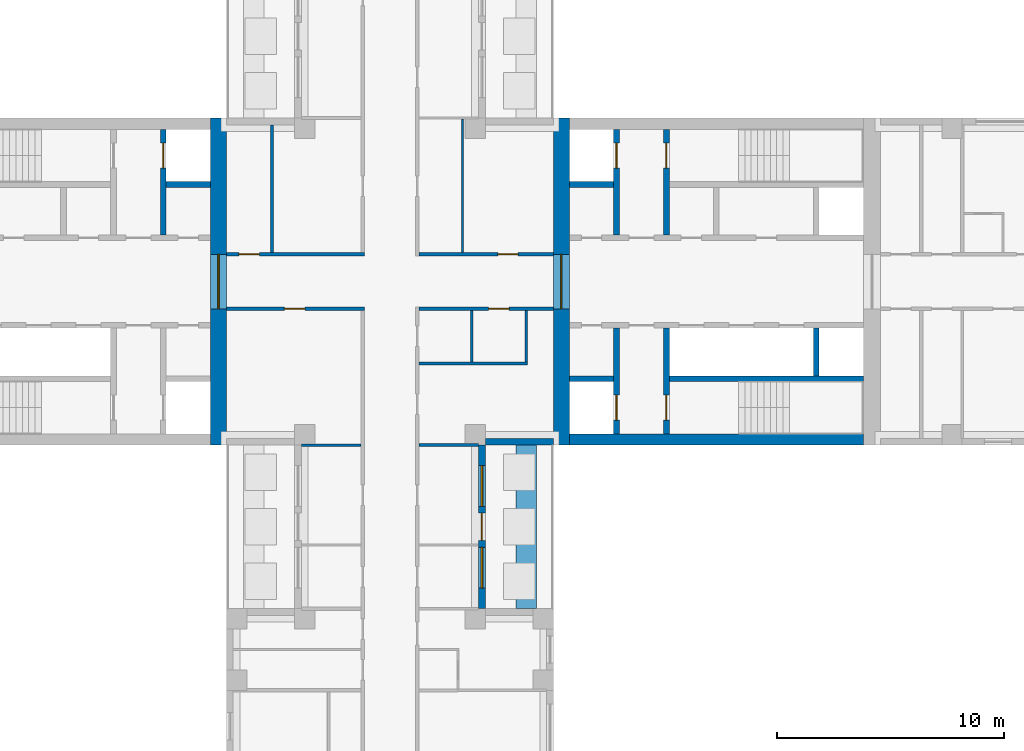
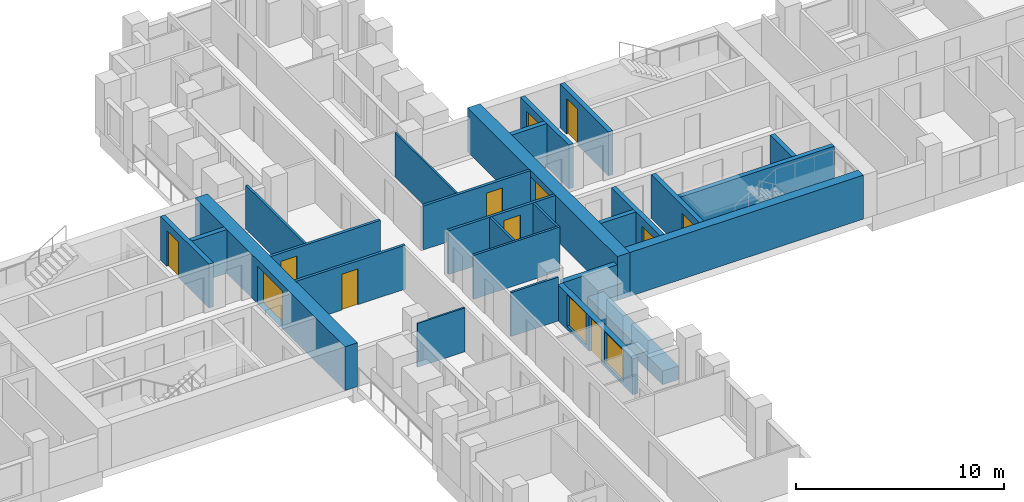
# One storey, part 7 of 13: 27 walls, 12 doors, 2 windows, 14 openings.
"""IFC4 building model written with IfcOpenShell, lengths in metres."""

import ifcopenshell
import ifcopenshell.guid

model = None  # the IFC model being written
_history = None  # IfcOwnerHistory: only IFC2X3 demands one
_inside = {}  # id of a spatial element -> (the spatial element, [elements in it])
_under = {}  # id of a project, library or spatial element -> (it, [spatial elements below it])
_declared = {}  # id of a project -> (the project, [libraries it declares])
_typed = {}  # id of a type object -> (the type object, [elements of that type])
_made_of = {}  # id of a material, layer set ... -> (it, [elements and type objects made of it])


def new_model(schema):
    """Start an empty IFC model of exactly this schema.

    Asked for "IFC4X3", IfcOpenShell would pick the latest addendum, in which some entities
    have other attributes; the version numbers below select the first issue.
    IFC2X3 requires an IfcOwnerHistory on every rooted entity: one is made here for all.
    """
    global model, _history
    if schema == "IFC4X3":
        model = ifcopenshell.file(schema_version=(4, 3, 0, 0))
    else:
        model = ifcopenshell.file(schema=schema)
    _inside.clear()
    _under.clear()
    _declared.clear()
    _typed.clear()
    _made_of.clear()
    _history = None
    if model.schema == "IFC2X3":
        org = make("IfcOrganization", Name="unknown")
        user = make(
            "IfcPersonAndOrganization",
            ThePerson=make("IfcPerson", FamilyName="unknown"),
            TheOrganization=org,
        )
        app = make(
            "IfcApplication",
            ApplicationDeveloper=org,
            Version="unknown",
            ApplicationFullName="unknown",
            ApplicationIdentifier="unknown",
        )
        _history = make(
            "IfcOwnerHistory",
            OwningUser=user,
            OwningApplication=app,
            ChangeAction="ADDED",
            CreationDate=0,
        )
    return model


def make(cls, **values):
    """One entity of the class cls with the attributes given. An attribute that is None is left unset."""
    return model.create_entity(
        cls, **{name: value for name, value in values.items() if value is not None}
    )


def rooted(cls, **values):
    """An entity with a GlobalId (a new one), such as an element, a storey or a relation."""
    return make(cls, GlobalId=ifcopenshell.guid.new(), OwnerHistory=_history, **values)


def si_unit(unit_type, name, prefix=None):
    """IfcSIUnit, for example si_unit("LENGTHUNIT", "METRE", prefix="MILLI")."""
    return make("IfcSIUnit", UnitType=unit_type, Prefix=prefix, Name=name)


def assignment(units):
    """IfcUnitAssignment: the units of a project."""
    return None if units is None else make("IfcUnitAssignment", Units=units)


def point(xyz):
    """IfcCartesianPoint."""
    return None if xyz is None else make("IfcCartesianPoint", Coordinates=xyz)


def direction(xyz):
    """IfcDirection."""
    return None if xyz is None else make("IfcDirection", DirectionRatios=xyz)


def frame(location, z_axis=None, x_axis=None):
    """IfcAxis2Placement3D, a coordinate frame: its origin and axes. An axis left out is left unset."""
    return make(
        "IfcAxis2Placement3D",
        Location=point(location),
        Axis=direction(z_axis),
        RefDirection=direction(x_axis),
    )


def frame_2d(location, x_axis=None):
    """IfcAxis2Placement2D, a coordinate frame in the plane: its origin and x axis."""
    return make(
        "IfcAxis2Placement2D", Location=point(location), RefDirection=direction(x_axis)
    )


def origin():
    """The frame at (0, 0, 0) with its axes left unset."""
    return frame((0.0, 0.0, 0.0))


def place(relative_to, where):
    """IfcLocalPlacement: puts the frame where relative to a parent placement (None: the world)."""
    return make(
        "IfcLocalPlacement", PlacementRelTo=relative_to, RelativePlacement=where
    )


def context(
    kind, dimensions, precision=None, world=None, true_north=None, identifier=None
):
    """IfcGeometricRepresentationContext, for example the 3D "Model" context."""
    return make(
        "IfcGeometricRepresentationContext",
        ContextIdentifier=identifier,
        ContextType=kind,
        CoordinateSpaceDimension=dimensions,
        Precision=precision,
        WorldCoordinateSystem=world,
        TrueNorth=true_north,
    )


def subcontext(parent, identifier, kind, view, scale=None):
    """IfcGeometricRepresentationSubContext, for example "Body" below "Model"."""
    return make(
        "IfcGeometricRepresentationSubContext",
        ContextIdentifier=identifier,
        ContextType=kind,
        ParentContext=parent,
        TargetScale=scale,
        TargetView=view,
    )


def project(units=None, contexts=None):
    """IfcProject with its units and contexts."""
    return rooted(
        "IfcProject",
        Name="project",
        RepresentationContexts=contexts,
        UnitsInContext=assignment(units),
    )


def spatial(cls, under=None, at=None, **own):
    """A site, building, storey or space (cls), placed at a placement, below another one or the project."""
    s = rooted(cls, ObjectPlacement=at, **own)
    if under is not None:
        _under.setdefault(under.id(), (under, []))[1].append(s)
    return s


def profile(cls, at=None, kind="AREA", **sizes):
    """A parametric profile (cls). Its sizes go by their IFC names, for example OverallWidth=200.0."""
    return make(cls, ProfileType=kind, Position=at, **sizes)


def rectangle(**sizes):
    """IfcRectangleProfileDef."""
    return profile("IfcRectangleProfileDef", **sizes)


def extrude(swept, where, along, depth):
    """IfcExtrudedAreaSolid: the profile swept, set in the frame where, extruded along a direction by depth."""
    return make(
        "IfcExtrudedAreaSolid",
        SweptArea=swept,
        Position=where,
        ExtrudedDirection=direction(along),
        Depth=depth,
    )


def shape(context_of_items, identifier, shape_type, items):
    """IfcShapeRepresentation: the items that make up one representation, for example the "Body"."""
    return make(
        "IfcShapeRepresentation",
        ContextOfItems=context_of_items,
        RepresentationIdentifier=identifier,
        RepresentationType=shape_type,
        Items=items,
    )


def material(Name=None, Category=None):
    """IfcMaterial."""
    return make("IfcMaterial", Name=Name, Category=Category)


def layer(
    of_material, thickness, ventilated=None, Name=None, Category=None, Priority=None
):
    """IfcMaterialLayer: one layer of a wall or slab, of a material (None: an air gap)."""
    return make(
        "IfcMaterialLayer",
        Material=of_material,
        LayerThickness=thickness,
        IsVentilated=ventilated,
        Name=Name,
        Category=Category,
        Priority=Priority,
    )


def layer_set(layers, Name=None):
    """IfcMaterialLayerSet."""
    return make("IfcMaterialLayerSet", MaterialLayers=layers, LayerSetName=Name)


def made_of(thing, what):
    """Note that an element or type object is made of a material, layer set ...; save() writes the relation."""
    if what is not None:
        _made_of.setdefault(what.id(), (what, []))[1].append(thing)
    return thing


def type_object(cls, material=None, **own):
    """A type object (cls), such as IfcWallType, which elements share."""
    return made_of(rooted(cls, **own), material)


def element(
    cls,
    number,
    at=None,
    inside=None,
    cuts=None,
    type_object=None,
    material=None,
    context=None,
    identifier="Body",
    shape_type=None,
    held_by="IfcProductDefinitionShape",
    body=None,
    shapes=None,
    **own,
):
    """One element of the class cls, such as IfcWall. Its Tag is "e" and its number.

    at: its placement. inside: the storey or other place that contains it. cuts: it is an
    opening in that element (IfcRelVoidsElement). A single representation is given by context,
    identifier, shape_type and body (its items); several are given by shapes. held_by: the class
    of the entity that holds the representations. save() writes the other relations.
    """
    e = rooted(cls, Tag="e%d" % number, ObjectPlacement=at, **own)
    if body is not None:
        shapes = [shape(context, identifier, shape_type, body)]
    if shapes is not None:
        e.Representation = make(held_by, Representations=shapes)
    if inside is not None:
        _inside.setdefault(inside.id(), (inside, []))[1].append(e)
    if cuts is not None:
        rooted(
            "IfcRelVoidsElement", RelatingBuildingElement=cuts, RelatedOpeningElement=e
        )
    if type_object is not None:
        _typed.setdefault(type_object.id(), (type_object, []))[1].append(e)
    return made_of(e, material)


def fill(opening, filler):
    """IfcRelFillsElement: the door or window that sits in an opening."""
    return rooted(
        "IfcRelFillsElement",
        RelatingOpeningElement=opening,
        RelatedBuildingElement=filler,
    )


def aggregate(whole, parts):
    """IfcRelAggregates: a whole, such as a stair, and the parts it consists of."""
    return rooted("IfcRelAggregates", RelatingObject=whole, RelatedObjects=parts)


def save(model, path):
    """Write the relations noted so far, then the file.

    IfcRelAggregates (storeys below a building ...), IfcRelContainedInSpatialStructure (elements
    in a storey), IfcRelDefinesByType, IfcRelAssociatesMaterial and IfcRelDeclares: one each for
    every whole, place, type object, material and project.
    """
    for whole, parts in _under.values():
        aggregate(whole, parts)
    for where, things in _inside.values():
        rooted(
            "IfcRelContainedInSpatialStructure",
            RelatedElements=things,
            RelatingStructure=where,
        )
    for kind, things in _typed.values():
        rooted("IfcRelDefinesByType", RelatedObjects=things, RelatingType=kind)
    for what, things in _made_of.values():
        rooted("IfcRelAssociatesMaterial", RelatedObjects=things, RelatingMaterial=what)
    for by, libraries in _declared.values():
        rooted("IfcRelDeclares", RelatingContext=by, RelatedDefinitions=libraries)
    model.write(path)


model = new_model("IFC4")

# Units and contexts
model_context = context("Model", 3, precision=1e-05, world=origin(), true_north=direction((0.0, 1.0)))
body_context = subcontext(model_context, "Body", "Model", "MODEL_VIEW")
ifc_project = project(units=[si_unit("LENGTHUNIT", "METRE"), si_unit("AREAUNIT", "SQUARE_METRE"), si_unit("VOLUMEUNIT", "CUBIC_METRE"), si_unit("PLANEANGLEUNIT", "RADIAN"), si_unit("MASSUNIT", "GRAM", prefix="KILO")], contexts=[model_context])

# Site, building, storey
site_placement = place(None, origin())
site = spatial("IfcSite", under=ifc_project, at=site_placement, CompositionType="ELEMENT")
building_placement = place(site_placement, origin())
building = spatial("IfcBuilding", under=site, at=building_placement, Name="Fustian Cross Tower", CompositionType="ELEMENT")
storey_placement = place(building_placement, frame((0.0, 0.0, 81.89990234375)))
storey = spatial("IfcBuildingStorey", under=building, at=storey_placement, Name="L25", CompositionType="ELEMENT", Elevation=81.89990234375)

# Wall, opening, door
ifc_material_1 = material(Name="Plasterboard on steel stud", Category="steel")
ifc_layer_1 = layer(ifc_material_1, 0.14990234375)
ifc_layer_set_1 = layer_set([ifc_layer_1], Name="Plasterboard on steel stud")
wall_type_1 = type_object("IfcWallType", Name="COMPARTMENT WALL 150 EI 60", PredefinedType="PARTITIONING", material=ifc_layer_set_1)
wall_1_placement = place(storey_placement, frame((-7.199951171875, -1.199951171875, 0.0), z_axis=(0.0, 0.0, 1.0), x_axis=(1.0, 0.0, 0.0)))
wall_1 = element("IfcWall", 1, at=wall_1_placement, inside=storey, type_object=wall_type_1, Name="Partition 11", PredefinedType="PARTITIONING", context=body_context, shape_type="SweptSolid", body=[
    extrude(rectangle(XDim=6.074951171875, YDim=0.14990234375, at=frame_2d((3.03759765625, 0.0))), origin(), (0.0, 0.0, 1.0), 2.5751953125),
])
opening_1_placement = place(wall_1_placement, frame((2.550048828125, 0.0, 0.0)))
opening_1 = element("IfcOpeningElement", 2, at=opening_1_placement, cuts=wall_1, Name="Opening D12008", PredefinedType="OPENING", context=body_context, shape_type="SweptSolid", body=[
    extrude(rectangle(XDim=0.89990234375, YDim=2.10009765625, at=frame_2d((0.449951171875, 1.050048828125))), frame((0.0, 0.0849609375, 0.0), z_axis=(0.0, -1.0, 0.0), x_axis=(1.0, 0.0, 0.0)), (0.0, 0.0, 1.0), 0.169921875),
])
ifc_material_2 = material(Name="Timber fire door set", Category="wood")
door_type_1 = type_object("IfcDoorType", Name="FIRE SWING DOOR 900 FD30S", OperationType="SINGLE_SWING_LEFT", PredefinedType="DOOR", material=ifc_material_2)
door_1_placement = place(opening_1_placement, frame((0.89990234375, 0.0, 0.0), z_axis=(0.0, 0.0, 1.0), x_axis=(-1.0, 0.0, 0.0)))
door_1 = element("IfcDoor", 3, at=door_1_placement, inside=storey, type_object=door_type_1, Name="Door D12008", OperationType="SINGLE_SWING_RIGHT", OverallHeight=2.10009765625, OverallWidth=0.89990234375, PredefinedType="DOOR", context=body_context, shape_type="SweptSolid", body=[
    extrude(rectangle(XDim=0.89990234375, YDim=2.10009765625, at=frame_2d((0.449951171875, 1.050048828125))), frame((0.0, 0.02490234375, 0.0), z_axis=(0.0, -1.0, 0.0), x_axis=(1.0, 0.0, 0.0)), (0.0, 0.0, 1.0), 0.050048828125),
])
fill(opening_1, door_1)

wall_2_placement = place(storey_placement, frame((-7.199951171875, 1.199951171875, 0.0), z_axis=(0.0, 0.0, 1.0), x_axis=(1.0, 0.0, 0.0)))
wall_2 = element("IfcWall", 4, at=wall_2_placement, inside=storey, type_object=wall_type_1, Name="Partition 12", PredefinedType="PARTITIONING", context=body_context, shape_type="SweptSolid", body=[
    extrude(rectangle(XDim=6.074951171875, YDim=0.14990234375, at=frame_2d((3.03759765625, 0.0))), origin(), (0.0, 0.0, 1.0), 2.5751953125),
])
opening_2_placement = place(wall_2_placement, frame((0.550048828125, 0.0, 0.0)))
opening_2 = element("IfcOpeningElement", 5, at=opening_2_placement, cuts=wall_2, Name="Opening D12004", PredefinedType="OPENING", context=body_context, shape_type="SweptSolid", body=[
    extrude(rectangle(XDim=0.89990234375, YDim=2.10009765625, at=frame_2d((0.449951171875, 1.050048828125))), frame((0.0, 0.0849609375, 0.0), z_axis=(0.0, -1.0, 0.0), x_axis=(1.0, 0.0, 0.0)), (0.0, 0.0, 1.0), 0.169921875),
])
door_2_placement = place(opening_2_placement, origin())
door_2 = element("IfcDoor", 6, at=door_2_placement, inside=storey, type_object=door_type_1, Name="Door D12004", OperationType="SINGLE_SWING_LEFT", OverallHeight=2.10009765625, OverallWidth=0.89990234375, PredefinedType="DOOR", context=body_context, shape_type="SweptSolid", body=[
    extrude(rectangle(XDim=0.89990234375, YDim=2.10009765625, at=frame_2d((0.449951171875, 1.050048828125))), frame((0.0, 0.02490234375, 0.0), z_axis=(0.0, -1.0, 0.0), x_axis=(1.0, 0.0, 0.0)), (0.0, 0.0, 1.0), 0.050048828125),
])
fill(opening_2, door_2)

wall_3_placement = place(storey_placement, frame((1.27490234375, -1.199951171875, 0.0), z_axis=(0.0, 0.0, 1.0), x_axis=(1.0, 0.0, 0.0)))
wall_3 = element("IfcWall", 7, at=wall_3_placement, inside=storey, type_object=wall_type_1, Name="Partition 45", PredefinedType="PARTITIONING", context=body_context, shape_type="SweptSolid", body=[
    extrude(rectangle(XDim=5.925048828125, YDim=0.14990234375, at=frame_2d((2.96240234375, 0.0))), origin(), (0.0, 0.0, 1.0), 2.5751953125),
])
opening_3_placement = place(wall_3_placement, frame((3.074951171875, 0.0, 0.0)))
opening_3 = element("IfcOpeningElement", 8, at=opening_3_placement, cuts=wall_3, Name="Opening D12006", PredefinedType="OPENING", context=body_context, shape_type="SweptSolid", body=[
    extrude(rectangle(XDim=0.89990234375, YDim=2.10009765625, at=frame_2d((0.449951171875, 1.050048828125))), frame((0.0, 0.0849609375, 0.0), z_axis=(0.0, -1.0, 0.0), x_axis=(1.0, 0.0, 0.0)), (0.0, 0.0, 1.0), 0.169921875),
])
door_3_placement = place(opening_3_placement, frame((0.89990234375, 0.0, 0.0), z_axis=(0.0, 0.0, 1.0), x_axis=(-1.0, 0.0, 0.0)))
door_3 = element("IfcDoor", 9, at=door_3_placement, inside=storey, type_object=door_type_1, Name="Door D12006", OperationType="SINGLE_SWING_RIGHT", OverallHeight=2.10009765625, OverallWidth=0.89990234375, PredefinedType="DOOR", context=body_context, shape_type="SweptSolid", body=[
    extrude(rectangle(XDim=0.89990234375, YDim=2.10009765625, at=frame_2d((0.449951171875, 1.050048828125))), frame((0.0, 0.02490234375, 0.0), z_axis=(0.0, -1.0, 0.0), x_axis=(1.0, 0.0, 0.0)), (0.0, 0.0, 1.0), 0.050048828125),
])
fill(opening_3, door_3)

wall_4_placement = place(storey_placement, frame((1.27490234375, 1.199951171875, 0.0), z_axis=(0.0, 0.0, 1.0), x_axis=(1.0, 0.0, 0.0)))
wall_4 = element("IfcWall", 10, at=wall_4_placement, inside=storey, type_object=wall_type_1, Name="Partition 47", PredefinedType="PARTITIONING", context=body_context, shape_type="SweptSolid", body=[
    extrude(rectangle(XDim=5.925048828125, YDim=0.14990234375, at=frame_2d((2.96240234375, 0.0))), origin(), (0.0, 0.0, 1.0), 2.5751953125),
])
opening_4_placement = place(wall_4_placement, frame((3.47509765625, 0.0, 0.0)))
opening_4 = element("IfcOpeningElement", 11, at=opening_4_placement, cuts=wall_4, Name="Opening D12002", PredefinedType="OPENING", context=body_context, shape_type="SweptSolid", body=[
    extrude(rectangle(XDim=0.89990234375, YDim=2.10009765625, at=frame_2d((0.449951171875, 1.050048828125))), frame((0.0, 0.0849609375, 0.0), z_axis=(0.0, -1.0, 0.0), x_axis=(1.0, 0.0, 0.0)), (0.0, 0.0, 1.0), 0.169921875),
])
door_4_placement = place(opening_4_placement, origin())
door_4 = element("IfcDoor", 12, at=door_4_placement, inside=storey, type_object=door_type_1, Name="Door D12002", OperationType="SINGLE_SWING_LEFT", OverallHeight=2.10009765625, OverallWidth=0.89990234375, PredefinedType="DOOR", context=body_context, shape_type="SweptSolid", body=[
    extrude(rectangle(XDim=0.89990234375, YDim=2.10009765625, at=frame_2d((0.449951171875, 1.050048828125))), frame((0.0, 0.02490234375, 0.0), z_axis=(0.0, -1.0, 0.0), x_axis=(1.0, 0.0, 0.0)), (0.0, 0.0, 1.0), 0.050048828125),
])
fill(opening_4, door_4)

ifc_material_3 = material(Name="Concrete C70/85", Category="concrete")
ifc_layer_2 = layer(ifc_material_3, 0.699951171875)
ifc_layer_set_2 = layer_set([ifc_layer_2], Name="Concrete C70/85")
wall_type_2 = type_object("IfcWallType", Name="CORE END WALL 700 C70/85", PredefinedType="SHEAR", material=ifc_layer_set_2)
wall_5_placement = place(storey_placement, frame((7.550048828125, -7.199951171875, 0.0), z_axis=(0.0, 0.0, 1.0), x_axis=(0.0, 1.0, 0.0)))
wall_5 = element("IfcWall", 13, at=wall_5_placement, inside=storey, type_object=wall_type_2, Name="Core end wall", PredefinedType="SHEAR", context=body_context, shape_type="SweptSolid", body=[
    extrude(rectangle(XDim=14.39990234375, YDim=0.699951171875, at=frame_2d((7.199951171875, 0.0))), origin(), (0.0, 0.0, 1.0), 2.5751953125),
])
opening_5_placement = place(wall_5_placement, frame((6.0, 0.0, 0.0)))
opening_5 = element("IfcOpeningElement", 14, at=opening_5_placement, cuts=wall_5, Name="Opening CD-10-12", PredefinedType="OPENING", context=body_context, shape_type="SweptSolid", body=[
    extrude(rectangle(XDim=2.39990234375, YDim=2.199951171875, at=frame_2d((1.199951171875, 1.10009765625))), frame((0.0, 0.35986328125, 0.0), z_axis=(0.0, -1.0, 0.0), x_axis=(1.0, 0.0, 0.0)), (0.0, 0.0, 1.0), 0.719970703125),
])
ifc_material_4 = material(Name="Steel", Category="steel")
door_type_2 = type_object("IfcDoorType", Name="FIRE DOOR FD30S DOUBLE 2400X2200", OperationType="DOUBLE_DOOR_DOUBLE_SWING", PredefinedType="DOOR", material=ifc_material_4)
door_5_placement = place(opening_5_placement, frame((2.39990234375, 0.0, 0.0), z_axis=(0.0, 0.0, 1.0), x_axis=(-1.0, 0.0, 0.0)))
door_5 = element("IfcDoor", 15, at=door_5_placement, inside=storey, type_object=door_type_2, Name="Core door CD-10-12", OperationType="DOUBLE_DOOR_DOUBLE_SWING", OverallHeight=2.199951171875, OverallWidth=2.39990234375, PredefinedType="DOOR", context=body_context, shape_type="SweptSolid", body=[
    extrude(rectangle(XDim=2.39990234375, YDim=2.199951171875, at=frame_2d((1.199951171875, 1.10009765625))), frame((0.0, 0.02490234375, 0.0), z_axis=(0.0, -1.0, 0.0), x_axis=(1.0, 0.0, 0.0)), (0.0, 0.0, 1.0), 0.050048828125),
])
fill(opening_5, door_5)

wall_6_placement = place(storey_placement, frame((-7.550048828125, -7.199951171875, 0.0), z_axis=(0.0, 0.0, 1.0), x_axis=(0.0, 1.0, 0.0)))
wall_6 = element("IfcWall", 16, at=wall_6_placement, inside=storey, type_object=wall_type_2, Name="Core end wall", PredefinedType="SHEAR", context=body_context, shape_type="SweptSolid", body=[
    extrude(rectangle(XDim=14.39990234375, YDim=0.699951171875, at=frame_2d((7.199951171875, 0.0))), origin(), (0.0, 0.0, 1.0), 2.5751953125),
])
opening_6_placement = place(wall_6_placement, frame((6.0, 0.0, 0.0)))
opening_6 = element("IfcOpeningElement", 17, at=opening_6_placement, cuts=wall_6, Name="Opening CD-10-27", PredefinedType="OPENING", context=body_context, shape_type="SweptSolid", body=[
    extrude(rectangle(XDim=2.39990234375, YDim=2.199951171875, at=frame_2d((1.199951171875, 1.10009765625))), frame((0.0, 0.35986328125, 0.0), z_axis=(0.0, -1.0, 0.0), x_axis=(1.0, 0.0, 0.0)), (0.0, 0.0, 1.0), 0.719970703125),
])
door_6_placement = place(opening_6_placement, origin())
door_6 = element("IfcDoor", 18, at=door_6_placement, inside=storey, type_object=door_type_2, Name="Core door CD-10-27", OperationType="DOUBLE_DOOR_DOUBLE_SWING", OverallHeight=2.199951171875, OverallWidth=2.39990234375, PredefinedType="DOOR", context=body_context, shape_type="SweptSolid", body=[
    extrude(rectangle(XDim=2.39990234375, YDim=2.199951171875, at=frame_2d((1.199951171875, 1.10009765625))), frame((0.0, 0.02490234375, 0.0), z_axis=(0.0, -1.0, 0.0), x_axis=(1.0, 0.0, 0.0)), (0.0, 0.0, 1.0), 0.050048828125),
])
fill(opening_6, door_6)

# Walls
ifc_material_5 = material(Name="Concrete C70/85", Category="concrete")
ifc_layer_3 = layer(ifc_material_5, 0.5)
ifc_layer_set_3 = layer_set([ifc_layer_3], Name="Concrete C70/85")
wall_type_3 = type_object("IfcWallType", Name="CORE FACADE WALL 500 C70/85", PredefinedType="SHEAR", material=ifc_layer_set_3)
wall_7_placement = place(storey_placement, frame((7.89990234375, -6.949951171875, 0.0), z_axis=(0.0, 0.0, 1.0), x_axis=(1.0, 0.0, 0.0)))
element("IfcWall", 19, at=wall_7_placement, inside=storey, type_object=wall_type_3, Name="Core facade wall", PredefinedType="SHEAR", context=body_context, shape_type="SweptSolid", body=[
    extrude(rectangle(XDim=12.9501953125, YDim=0.5, at=frame_2d((6.47509765625, 0.0))), origin(), (0.0, 0.0, 1.0), 2.5751953125),
])
ifc_material_6 = material(Name="Concrete C50/60", Category="concrete")
ifc_layer_4 = layer(ifc_material_6, 0.25)
ifc_layer_set_4 = layer_set([ifc_layer_4], Name="Concrete C50/60")
wall_type_4 = type_object("IfcWallType", Name="CORE SHAFT WALL 250 C50/60", PredefinedType="SHEAR", material=ifc_layer_set_4)
wall_8_placement = place(storey_placement, frame((7.89990234375, 4.27490234375, 0.0), z_axis=(0.0, 0.0, 1.0), x_axis=(1.0, 0.0, 0.0)))
element("IfcWall", 20, at=wall_8_placement, inside=storey, type_object=wall_type_4, Name="Core shaft wall", PredefinedType="SHEAR", context=body_context, shape_type="SweptSolid", body=[
    extrude(rectangle(XDim=1.9501953125, YDim=0.25, at=frame_2d((0.97509765625, 0.0))), origin(), (0.0, 0.0, 1.0), 2.5751953125),
])

# Wall, opening, door
wall_9_placement = place(storey_placement, frame((9.97509765625, 2.050048828125, 0.0), z_axis=(0.0, 0.0, 1.0), x_axis=(0.0, 1.0, 0.0)))
wall_9 = element("IfcWall", 21, at=wall_9_placement, inside=storey, type_object=wall_type_4, Name="Core shaft wall", PredefinedType="SHEAR", context=body_context, shape_type="SweptSolid", body=[
    extrude(rectangle(XDim=4.64990234375, YDim=0.25, at=frame_2d((2.324951171875, 0.0))), origin(), (0.0, 0.0, 1.0), 2.5751953125),
])
opening_7_placement = place(wall_9_placement, frame((2.949951171875, 0.0, 0.0)))
opening_7 = element("IfcOpeningElement", 22, at=opening_7_placement, cuts=wall_9, Name="Opening LD", PredefinedType="OPENING", context=body_context, shape_type="SweptSolid", body=[
    extrude(rectangle(XDim=1.10009765625, YDim=2.10009765625, at=frame_2d((0.550048828125, 1.050048828125))), frame((0.0, 0.135009765625, 0.0), z_axis=(0.0, -1.0, 0.0), x_axis=(1.0, 0.0, 0.0)), (0.0, 0.0, 1.0), 0.27001953125),
])
ifc_material_7 = material(Name="Stainless steel", Category="steel")
door_type_3 = type_object("IfcDoorType", Name="LIFT LANDING DOOR 1100X2100", OperationType="SLIDING_TO_LEFT", PredefinedType="DOOR", material=ifc_material_7)
door_7_placement = place(opening_7_placement, origin())
door_7 = element("IfcDoor", 23, at=door_7_placement, inside=storey, type_object=door_type_3, Name="Landing door FL1", OperationType="SLIDING_TO_LEFT", OverallHeight=2.10009765625, OverallWidth=1.10009765625, PredefinedType="DOOR", context=body_context, shape_type="SweptSolid", body=[
    extrude(rectangle(XDim=1.10009765625, YDim=2.10009765625, at=frame_2d((0.550048828125, 1.050048828125))), frame((0.0, 0.02490234375, 0.0), z_axis=(0.0, -1.0, 0.0), x_axis=(1.0, 0.0, 0.0)), (0.0, 0.0, 1.0), 0.050048828125),
])
fill(opening_7, door_7)

wall_10_placement = place(storey_placement, frame((12.175048828125, 2.050048828125, 0.0), z_axis=(0.0, 0.0, 1.0), x_axis=(0.0, 1.0, 0.0)))
wall_10 = element("IfcWall", 24, at=wall_10_placement, inside=storey, type_object=wall_type_4, Name="Core shaft wall", PredefinedType="SHEAR", context=body_context, shape_type="SweptSolid", body=[
    extrude(rectangle(XDim=4.64990234375, YDim=0.25, at=frame_2d((2.324951171875, 0.0))), origin(), (0.0, 0.0, 1.0), 2.5751953125),
])
opening_8_placement = place(wall_10_placement, frame((2.949951171875, 0.0, 0.0)))
opening_8 = element("IfcOpeningElement", 25, at=opening_8_placement, cuts=wall_10, Name="Opening CD-10-06", PredefinedType="OPENING", context=body_context, shape_type="SweptSolid", body=[
    extrude(rectangle(XDim=1.10009765625, YDim=2.10009765625, at=frame_2d((0.550048828125, 1.050048828125))), frame((0.0, 0.135009765625, 0.0), z_axis=(0.0, -1.0, 0.0), x_axis=(1.0, 0.0, 0.0)), (0.0, 0.0, 1.0), 0.27001953125),
])
ifc_material_8 = material(Name="Steel", Category="steel")
door_type_4 = type_object("IfcDoorType", Name="FIRE DOOR FD60S 1100X2100", OperationType="SINGLE_SWING_LEFT", PredefinedType="DOOR", material=ifc_material_8)
door_8_placement = place(opening_8_placement, frame((1.10009765625, 0.0, 0.0), z_axis=(0.0, 0.0, 1.0), x_axis=(-1.0, 0.0, 0.0)))
door_8 = element("IfcDoor", 26, at=door_8_placement, inside=storey, type_object=door_type_4, Name="Core door CD-10-06", OperationType="SINGLE_SWING_RIGHT", OverallHeight=2.10009765625, OverallWidth=1.10009765625, PredefinedType="DOOR", context=body_context, shape_type="SweptSolid", body=[
    extrude(rectangle(XDim=1.10009765625, YDim=2.10009765625, at=frame_2d((0.550048828125, 1.050048828125))), frame((0.0, 0.02490234375, 0.0), z_axis=(0.0, -1.0, 0.0), x_axis=(1.0, 0.0, 0.0)), (0.0, 0.0, 1.0), 0.050048828125),
])
fill(opening_8, door_8)

# Walls
wall_11_placement = place(storey_placement, frame((7.89990234375, -4.27490234375, 0.0), z_axis=(0.0, 0.0, 1.0), x_axis=(1.0, 0.0, 0.0)))
element("IfcWall", 27, at=wall_11_placement, inside=storey, type_object=wall_type_4, Name="Core shaft wall", PredefinedType="SHEAR", context=body_context, shape_type="SweptSolid", body=[
    extrude(rectangle(XDim=1.9501953125, YDim=0.25, at=frame_2d((0.97509765625, 0.0))), origin(), (0.0, 0.0, 1.0), 2.5751953125),
])
wall_12_placement = place(storey_placement, frame((12.300048828125, -4.27490234375, 0.0), z_axis=(0.0, 0.0, 1.0), x_axis=(1.0, 0.0, 0.0)))
element("IfcWall", 28, at=wall_12_placement, inside=storey, type_object=wall_type_4, Name="Core shaft wall", PredefinedType="SHEAR", context=body_context, shape_type="SweptSolid", body=[
    extrude(rectangle(XDim=8.550048828125, YDim=0.25, at=frame_2d((4.27490234375, 0.0))), origin(), (0.0, 0.0, 1.0), 2.5751953125),
])

# Wall, opening, door
wall_13_placement = place(storey_placement, frame((9.97509765625, -2.050048828125, 0.0), z_axis=(0.0, 0.0, 1.0), x_axis=(0.0, -1.0, 0.0)))
wall_13 = element("IfcWall", 29, at=wall_13_placement, inside=storey, type_object=wall_type_4, Name="Core shaft wall", PredefinedType="SHEAR", context=body_context, shape_type="SweptSolid", body=[
    extrude(rectangle(XDim=4.64990234375, YDim=0.25, at=frame_2d((2.324951171875, 0.0))), origin(), (0.0, 0.0, 1.0), 2.5751953125),
])
opening_9_placement = place(wall_13_placement, frame((2.949951171875, 0.0, 0.0)))
opening_9 = element("IfcOpeningElement", 30, at=opening_9_placement, cuts=wall_13, Name="Opening LD", PredefinedType="OPENING", context=body_context, shape_type="SweptSolid", body=[
    extrude(rectangle(XDim=1.10009765625, YDim=2.10009765625, at=frame_2d((0.550048828125, 1.050048828125))), frame((0.0, 0.135009765625, 0.0), z_axis=(0.0, -1.0, 0.0), x_axis=(1.0, 0.0, 0.0)), (0.0, 0.0, 1.0), 0.27001953125),
])
door_9_placement = place(opening_9_placement, origin())
door_9 = element("IfcDoor", 31, at=door_9_placement, inside=storey, type_object=door_type_3, Name="Landing door SV1", OperationType="SLIDING_TO_LEFT", OverallHeight=2.10009765625, OverallWidth=1.10009765625, PredefinedType="DOOR", context=body_context, shape_type="SweptSolid", body=[
    extrude(rectangle(XDim=1.10009765625, YDim=2.10009765625, at=frame_2d((0.550048828125, 1.050048828125))), frame((0.0, 0.02490234375, 0.0), z_axis=(0.0, -1.0, 0.0), x_axis=(1.0, 0.0, 0.0)), (0.0, 0.0, 1.0), 0.050048828125),
])
fill(opening_9, door_9)

wall_14_placement = place(storey_placement, frame((12.175048828125, -2.050048828125, 0.0), z_axis=(0.0, 0.0, 1.0), x_axis=(0.0, -1.0, 0.0)))
wall_14 = element("IfcWall", 32, at=wall_14_placement, inside=storey, type_object=wall_type_4, Name="Core shaft wall", PredefinedType="SHEAR", context=body_context, shape_type="SweptSolid", body=[
    extrude(rectangle(XDim=4.64990234375, YDim=0.25, at=frame_2d((2.324951171875, 0.0))), origin(), (0.0, 0.0, 1.0), 2.5751953125),
])
opening_10_placement = place(wall_14_placement, frame((2.949951171875, 0.0, 0.0)))
opening_10 = element("IfcOpeningElement", 33, at=opening_10_placement, cuts=wall_14, Name="Opening CD-10-07", PredefinedType="OPENING", context=body_context, shape_type="SweptSolid", body=[
    extrude(rectangle(XDim=1.10009765625, YDim=2.10009765625, at=frame_2d((0.550048828125, 1.050048828125))), frame((0.0, 0.135009765625, 0.0), z_axis=(0.0, -1.0, 0.0), x_axis=(1.0, 0.0, 0.0)), (0.0, 0.0, 1.0), 0.27001953125),
])
door_10_placement = place(opening_10_placement, origin())
door_10 = element("IfcDoor", 34, at=door_10_placement, inside=storey, type_object=door_type_4, Name="Core door CD-10-07", OperationType="SINGLE_SWING_LEFT", OverallHeight=2.10009765625, OverallWidth=1.10009765625, PredefinedType="DOOR", context=body_context, shape_type="SweptSolid", body=[
    extrude(rectangle(XDim=1.10009765625, YDim=2.10009765625, at=frame_2d((0.550048828125, 1.050048828125))), frame((0.0, 0.02490234375, 0.0), z_axis=(0.0, -1.0, 0.0), x_axis=(1.0, 0.0, 0.0)), (0.0, 0.0, 1.0), 0.050048828125),
])
fill(opening_10, door_10)

# Wall
wall_15_placement = place(storey_placement, frame((-7.89990234375, 4.27490234375, 0.0), z_axis=(0.0, 0.0, 1.0), x_axis=(-1.0, 0.0, 0.0)))
element("IfcWall", 35, at=wall_15_placement, inside=storey, type_object=wall_type_4, Name="Core shaft wall", PredefinedType="SHEAR", context=body_context, shape_type="SweptSolid", body=[
    extrude(rectangle(XDim=1.9501953125, YDim=0.25, at=frame_2d((0.97509765625, 0.0))), origin(), (0.0, 0.0, 1.0), 2.5751953125),
])

# Wall, opening, door
wall_16_placement = place(storey_placement, frame((-9.97509765625, 2.050048828125, 0.0), z_axis=(0.0, 0.0, 1.0), x_axis=(0.0, 1.0, 0.0)))
wall_16 = element("IfcWall", 36, at=wall_16_placement, inside=storey, type_object=wall_type_4, Name="Core shaft wall", PredefinedType="SHEAR", context=body_context, shape_type="SweptSolid", body=[
    extrude(rectangle(XDim=4.64990234375, YDim=0.25, at=frame_2d((2.324951171875, 0.0))), origin(), (0.0, 0.0, 1.0), 2.5751953125),
])
opening_11_placement = place(wall_16_placement, frame((2.949951171875, 0.0, 0.0)))
opening_11 = element("IfcOpeningElement", 37, at=opening_11_placement, cuts=wall_16, Name="Opening LD", PredefinedType="OPENING", context=body_context, shape_type="SweptSolid", body=[
    extrude(rectangle(XDim=1.10009765625, YDim=2.10009765625, at=frame_2d((0.550048828125, 1.050048828125))), frame((0.0, 0.135009765625, 0.0), z_axis=(0.0, -1.0, 0.0), x_axis=(1.0, 0.0, 0.0)), (0.0, 0.0, 1.0), 0.27001953125),
])
door_11_placement = place(opening_11_placement, origin())
door_11 = element("IfcDoor", 38, at=door_11_placement, inside=storey, type_object=door_type_3, Name="Landing door FL1W", OperationType="SLIDING_TO_LEFT", OverallHeight=2.10009765625, OverallWidth=1.10009765625, PredefinedType="DOOR", context=body_context, shape_type="SweptSolid", body=[
    extrude(rectangle(XDim=1.10009765625, YDim=2.10009765625, at=frame_2d((0.550048828125, 1.050048828125))), frame((0.0, 0.02490234375, 0.0), z_axis=(0.0, -1.0, 0.0), x_axis=(1.0, 0.0, 0.0)), (0.0, 0.0, 1.0), 0.050048828125),
])
fill(opening_11, door_11)

# Walls
ifc_material_9 = material(Name="Plasterboard on steel stud", Category="steel")
ifc_layer_5 = layer(ifc_material_9, 0.10009765625)
ifc_layer_set_5 = layer_set([ifc_layer_5], Name="Plasterboard on steel stud")
wall_type_5 = type_object("IfcWallType", Name="PARTITION 100 STUD", PredefinedType="PARTITIONING", material=ifc_layer_set_5)
wall_17_placement = place(storey_placement, frame((-3.89990234375, -7.199951171875, 0.0), z_axis=(0.0, 0.0, 1.0), x_axis=(1.0, 0.0, 0.0)))
element("IfcWall", 39, at=wall_17_placement, inside=storey, type_object=wall_type_5, Name="Partition 27", PredefinedType="PARTITIONING", context=body_context, shape_type="SweptSolid", body=[
    extrude(rectangle(XDim=2.625, YDim=0.10009765625, at=frame_2d((1.3125, 0.0))), origin(), (0.0, 0.0, 1.0), 2.5751953125),
])
wall_18_placement = place(storey_placement, frame((3.199951171875, 1.27490234375, 0.0), z_axis=(0.0, 0.0, 1.0), x_axis=(0.0, 1.0, 0.0)))
element("IfcWall", 40, at=wall_18_placement, inside=storey, type_object=wall_type_5, Name="Partition 52", PredefinedType="PARTITIONING", context=body_context, shape_type="SweptSolid", body=[
    extrude(rectangle(XDim=5.875, YDim=0.10009765625, at=frame_2d((2.9375, 0.0))), origin(), (0.0, 0.0, 1.0), 2.5751953125),
])
ifc_material_10 = material(Name="Concrete C40/50", Category="concrete")
ifc_layer_6 = layer(ifc_material_10, 0.89990234375)
ifc_layer_set_6 = layer_set([ifc_layer_6], Name="Concrete C40/50")
wall_type_6 = type_object("IfcWallType", Name="PK1 PLANTER 900", PredefinedType="PARAPET", material=ifc_layer_set_6)
wall_19_placement = place(storey_placement, frame((6.0, -14.39990234375, 0.0), z_axis=(0.0, 0.0, 1.0), x_axis=(0.0, 1.0, 0.0)))
element("IfcWall", 41, at=wall_19_placement, inside=storey, type_object=wall_type_6, Name="PLANTER", PredefinedType="PARAPET", context=body_context, shape_type="SweptSolid", body=[
    extrude(rectangle(XDim=7.199951171875, YDim=0.89990234375, at=frame_2d((3.60009765625, 0.0))), origin(), (0.0, 0.0, 1.0), 0.800048828125),
])
ifc_material_11 = material(Name="Concrete C40/50", Category="concrete")
ifc_layer_7 = layer(ifc_material_11, 0.25)
ifc_layer_set_7 = layer_set([ifc_layer_7], Name="Concrete C40/50")
wall_type_7 = type_object("IfcWallType", Name="SHAFT PARTITION WALL 250 C40/50", PredefinedType="PARTITIONING", material=ifc_layer_set_7)
wall_20_placement = place(storey_placement, frame((18.77490234375, -2.050048828125, 0.0), z_axis=(0.0, 0.0, 1.0), x_axis=(0.0, -1.0, 0.0)))
element("IfcWall", 42, at=wall_20_placement, inside=storey, type_object=wall_type_7, Name="Core shaft wall", PredefinedType="PARTITIONING", context=body_context, shape_type="SweptSolid", body=[
    extrude(rectangle(XDim=2.099853515625, YDim=0.25, at=frame_2d((1.0498046875, 0.0))), origin(), (0.0, 0.0, 1.0), 2.5751953125),
])
ifc_material_12 = material(Name="Plasterboard on steel stud", Category="steel")
ifc_layer_8 = layer(ifc_material_12, 0.125)
ifc_layer_set_8 = layer_set([ifc_layer_8], Name="Plasterboard on steel stud")
wall_type_8 = type_object("IfcWallType", Name="WET WALL 125 STUD", PredefinedType="PARTITIONING", material=ifc_layer_set_8)
wall_21_placement = place(storey_placement, frame((-5.199951171875, 1.27490234375, 0.0), z_axis=(0.0, 0.0, 1.0), x_axis=(0.0, 1.0, 0.0)))
element("IfcWall", 43, at=wall_21_placement, inside=storey, type_object=wall_type_8, Name="Partition 19", PredefinedType="PARTITIONING", context=body_context, shape_type="SweptSolid", body=[
    extrude(rectangle(XDim=5.625, YDim=0.125, at=frame_2d((2.8125, 0.0))), origin(), (0.0, 0.0, 1.0), 2.5751953125),
])
wall_22_placement = place(storey_placement, frame((1.27490234375, -7.199951171875, 0.0), z_axis=(0.0, 0.0, 1.0), x_axis=(1.0, 0.0, 0.0)))
element("IfcWall", 44, at=wall_22_placement, inside=storey, type_object=wall_type_8, Name="Partition 43", PredefinedType="PARTITIONING", context=body_context, shape_type="SweptSolid", body=[
    extrude(rectangle(XDim=2.625, YDim=0.125, at=frame_2d((1.3125, 0.0))), origin(), (0.0, 0.0, 1.0), 2.5751953125),
])
wall_23_placement = place(storey_placement, frame((1.27490234375, -3.60009765625, 0.0), z_axis=(0.0, 0.0, 1.0), x_axis=(1.0, 0.0, 0.0)))
element("IfcWall", 45, at=wall_23_placement, inside=storey, type_object=wall_type_8, Name="Partition 44", PredefinedType="PARTITIONING", context=body_context, shape_type="SweptSolid", body=[
    extrude(rectangle(XDim=4.78759765625, YDim=0.125, at=frame_2d((2.393798828125, 0.0))), origin(), (0.0, 0.0, 1.0), 2.5751953125),
])
for number, where, z_axis, x_axis, name in (
    (46, (3.60009765625, -3.53759765625, 0.0), (0.0, 0.0, 1.0), (0.0, 1.0, 0.0), "Partition 53"),
    (47, (6.0, -3.53759765625, 0.0), (0.0, 0.0, 1.0), (0.0, 1.0, 0.0), "Partition 54"),
):
    element("IfcWall", number, at=place(storey_placement, frame(where, z_axis=z_axis, x_axis=x_axis)), inside=storey, type_object=wall_type_8, Name=name, PredefinedType="PARTITIONING", context=body_context, shape_type="SweptSolid", body=[
        extrude(rectangle(XDim=2.2626953125, YDim=0.125, at=frame_2d((1.13134765625, 0.0))), origin(), (0.0, 0.0, 1.0), 2.5751953125),
    ])

# Wall, openings, door, windows
ifc_material_13 = material(Name="Dark aluminium cladding on insulated backing wall", Category="aluminium")
ifc_layer_9 = layer(ifc_material_13, 0.300048828125)
ifc_layer_set_9 = layer_set([ifc_layer_9], Name="Dark aluminium cladding on insulated backing wall")
wall_type_9 = type_object("IfcWallType", Name="XW1 EXTERNAL WALL 300", PredefinedType="SOLIDWALL", material=ifc_layer_set_9)
wall_24_placement = place(storey_placement, frame((4.050048828125, -14.39990234375, 0.0), z_axis=(0.0, 0.0, 1.0), x_axis=(0.0, 1.0, 0.0)))
wall_24 = element("IfcWall", 48, at=wall_24_placement, inside=storey, type_object=wall_type_9, Name="External wall", PredefinedType="SOLIDWALL", context=body_context, shape_type="SweptSolid", body=[
    extrude(rectangle(XDim=7.199951171875, YDim=0.300048828125, at=frame_2d((3.60009765625, 0.0))), origin(), (0.0, 0.0, 1.0), 2.10009765625),
])
opening_12_placement = place(wall_24_placement, frame((3.0, 0.0, 0.0)))
opening_12 = element("IfcOpeningElement", 49, at=opening_12_placement, cuts=wall_24, Name="Opening XD3", PredefinedType="OPENING", context=body_context, shape_type="SweptSolid", body=[
    extrude(rectangle(XDim=1.199951171875, YDim=2.050048828125, at=frame_2d((0.60009765625, 1.02490234375))), frame((0.0, 0.159912109375, 0.0), z_axis=(0.0, -1.0, 0.0), x_axis=(1.0, 0.0, 0.0)), (0.0, 0.0, 1.0), 0.320068359375),
])
opening_13_placement = place(wall_24_placement, frame((0.89990234375, 0.0, 0.199951171875)))
opening_13 = element("IfcOpeningElement", 50, at=opening_13_placement, cuts=wall_24, Name="Opening WN2", PredefinedType="OPENING", context=body_context, shape_type="SweptSolid", body=[
    extrude(rectangle(XDim=1.800048828125, YDim=1.85009765625, at=frame_2d((0.89990234375, 0.925048828125))), frame((0.0, 0.159912109375, 0.0), z_axis=(0.0, -1.0, 0.0), x_axis=(1.0, 0.0, 0.0)), (0.0, 0.0, 1.0), 0.320068359375),
])
opening_14_placement = place(wall_24_placement, frame((4.5, 0.0, 0.199951171875)))
opening_14 = element("IfcOpeningElement", 51, at=opening_14_placement, cuts=wall_24, Name="Opening WN2", PredefinedType="OPENING", context=body_context, shape_type="SweptSolid", body=[
    extrude(rectangle(XDim=1.800048828125, YDim=1.85009765625, at=frame_2d((0.89990234375, 0.925048828125))), frame((0.0, 0.159912109375, 0.0), z_axis=(0.0, -1.0, 0.0), x_axis=(1.0, 0.0, 0.0)), (0.0, 0.0, 1.0), 0.320068359375),
])
ifc_material_14 = material(Name="Dark anodised aluminium and double glazing", Category="aluminium")
door_type_5 = type_object("IfcDoorType", Name="ED1 BALCONY DOOR 1200X2050", OperationType="SINGLE_SWING_LEFT", PredefinedType="DOOR", material=ifc_material_14)
door_12_placement = place(opening_12_placement, origin())
door_12 = element("IfcDoor", 52, at=door_12_placement, inside=storey, type_object=door_type_5, Name="Balcony door", OperationType="SINGLE_SWING_LEFT", OverallHeight=2.050048828125, OverallWidth=1.199951171875, PredefinedType="DOOR", context=body_context, shape_type="SweptSolid", body=[
    extrude(rectangle(XDim=1.199951171875, YDim=2.050048828125, at=frame_2d((0.60009765625, 1.02490234375))), frame((0.0, 0.02490234375, 0.0), z_axis=(0.0, -1.0, 0.0), x_axis=(1.0, 0.0, 0.0)), (0.0, 0.0, 1.0), 0.050048828125),
])
fill(opening_12, door_12)
ifc_material_15 = material(Name="Dark anodised aluminium and double glazing", Category="aluminium")
window_type = type_object("IfcWindowType", Name="WN2 WINDOW 1800X1850", PartitioningType="SINGLE_PANEL", PredefinedType="WINDOW", material=ifc_material_15)
window_1_placement = place(opening_13_placement, origin())
window_1 = element("IfcWindow", 53, at=window_1_placement, inside=storey, type_object=window_type, Name="Window", OverallHeight=1.85009765625, OverallWidth=1.800048828125, PartitioningType="SINGLE_PANEL", PredefinedType="WINDOW", context=body_context, shape_type="SweptSolid", body=[
    extrude(rectangle(XDim=1.800048828125, YDim=1.85009765625, at=frame_2d((0.89990234375, 0.925048828125))), frame((0.0, 0.030029296875, 0.0), z_axis=(0.0, -1.0, 0.0), x_axis=(1.0, 0.0, 0.0)), (0.0, 0.0, 1.0), 0.06005859375),
])
fill(opening_13, window_1)
window_2_placement = place(opening_14_placement, origin())
window_2 = element("IfcWindow", 54, at=window_2_placement, inside=storey, type_object=window_type, Name="Window", OverallHeight=1.85009765625, OverallWidth=1.800048828125, PartitioningType="SINGLE_PANEL", PredefinedType="WINDOW", context=body_context, shape_type="SweptSolid", body=[
    extrude(rectangle(XDim=1.800048828125, YDim=1.85009765625, at=frame_2d((0.89990234375, 0.925048828125))), frame((0.0, 0.030029296875, 0.0), z_axis=(0.0, -1.0, 0.0), x_axis=(1.0, 0.0, 0.0)), (0.0, 0.0, 1.0), 0.06005859375),
])
fill(opening_14, window_2)

# Wall
wall_25_placement = place(storey_placement, frame((4.199951171875, -7.050048828125, 0.0), z_axis=(0.0, 0.0, 1.0), x_axis=(1.0, 0.0, 0.0)))
element("IfcWall", 55, at=wall_25_placement, inside=storey, type_object=wall_type_9, Name="External wall", PredefinedType="SOLIDWALL", context=body_context, shape_type="SweptSolid", body=[
    extrude(rectangle(XDim=3.0, YDim=0.300048828125, at=frame_2d((1.5, 0.0))), origin(), (0.0, 0.0, 1.0), 2.10009765625),
])

save(model, "model.ifc")
